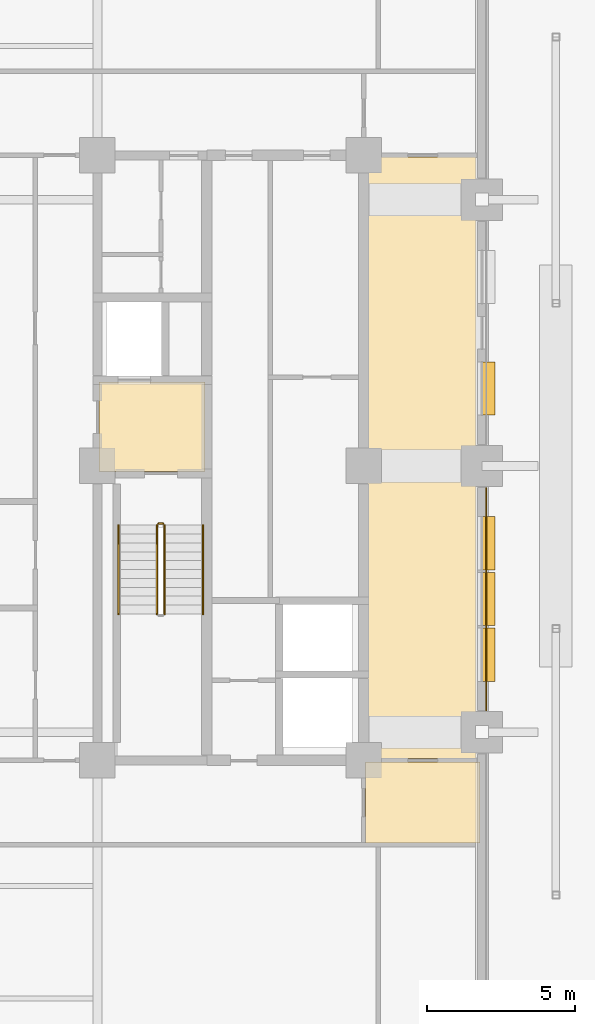
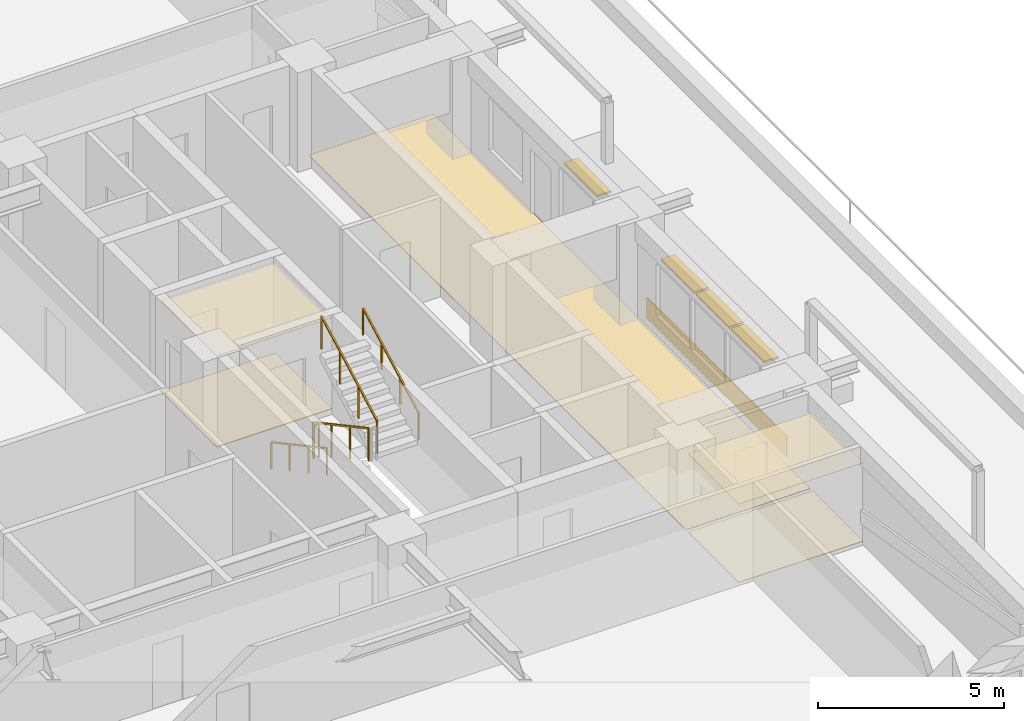
# One storey, part 17 of 18: 6 coverings, 5 railings, 4 shading devices.
"""IFC4 building model written with IfcOpenShell, lengths in metres."""

from ifc_helpers import new_model, si_unit, direction, frame, frame_2d, origin, origin_2d, place, context, subcontext, project, spatial, polyline, rectangle, outline, extrude, material, layer, layer_set, type_object, element, save


model = new_model("IFC4")

# Units and contexts
model_context = context("Model", 3, precision=1e-05, world=origin(), true_north=direction((0.0, 1.0)))
body_context = subcontext(model_context, "Body", "Model", "MODEL_VIEW")
ifc_project = project(units=[si_unit("LENGTHUNIT", "METRE"), si_unit("AREAUNIT", "SQUARE_METRE"), si_unit("VOLUMEUNIT", "CUBIC_METRE"), si_unit("PLANEANGLEUNIT", "RADIAN"), si_unit("MASSUNIT", "GRAM", prefix="KILO")], contexts=[model_context])

# Site, building, storey
site_placement = place(None, origin())
site = spatial("IfcSite", under=ifc_project, at=site_placement, CompositionType="ELEMENT")
building_placement = place(site_placement, origin())
building = spatial("IfcBuilding", under=site, at=building_placement, Name="Zulmaris Gate Convention Tower", CompositionType="ELEMENT")
storey_placement = place(building_placement, frame((0.0, 0.0, 57.18994140625)))
storey = spatial("IfcBuildingStorey", under=building, at=storey_placement, Name="L13", CompositionType="ELEMENT", Elevation=57.18994140625)

# Coverings
ifc_material_1 = material(Name="Precast concrete C40/50", Category="concrete")
ifc_layer_1 = layer(ifc_material_1, 0.0400390625, Name="Precast concrete C40/50")
ifc_layer_set_1 = layer_set([ifc_layer_1], Name="Precast concrete C40/50")
covering_type_1 = type_object("IfcCoveringType", Name="CLAD-SPANDREL-PRECAST", PredefinedType="CLADDING", material=ifc_layer_set_1)
covering_1_placement = place(storey_placement, frame((24.14990234375, -8.27001953125, 0.0), z_axis=(0.0, 0.0, 1.0), x_axis=(0.0, 1.0, 0.0)))
element("IfcCovering", 1, at=covering_1_placement, inside=storey, type_object=covering_type_1, Name="CLD-L13-E-1_0", PredefinedType="CLADDING", context=body_context, shape_type="SweptSolid", body=[
    extrude(rectangle(XDim=7.5400390625, YDim=0.0400390625, at=frame_2d((3.77001953125, 0.0))), origin(), (0.0, 0.0, 1.0), 0.679931640625),
])
ifc_material_2 = material(Name="Mineral Fibre Acoustic Ceiling Tile")
ifc_layer_2 = layer(ifc_material_2, 0.02001953125, Name="Mineral Fibre Acoustic Ceiling Tile")
ifc_layer_set_2 = layer_set([ifc_layer_2], Name="Mineral Fibre Acoustic Ceiling Tile")
covering_type_2 = type_object("IfcCoveringType", Name="CLG-ACOUSTIC-600", PredefinedType="CEILING", material=ifc_layer_set_2)
covering_2_placement = place(storey_placement, frame((0.0, 0.0, 2.989990234375)))
element("IfcCovering", 2, at=covering_2_placement, inside=storey, type_object=covering_type_2, Name="CLG-L13-R08", PredefinedType="CEILING", context=body_context, shape_type="SweptSolid", body=[
    extrude(outline(polyline([(11.06005859375, -0.18994140625), (14.639892578125, -0.18994140625), (14.639892578125, 2.840087890625), (11.06005859375, 2.840087890625), (11.06005859375, -0.18994140625)])), origin(), (0.0, 0.0, 1.0), 0.02001953125),
])
covering_3_placement = place(storey_placement, frame((0.0, 0.0, 2.578125)))
element("IfcCovering", 3, at=covering_3_placement, inside=storey, type_object=covering_type_2, Name="CLG-L13-R55", PredefinedType="CEILING", context=body_context, shape_type="SweptSolid", body=[
    extrude(outline(polyline([(20.06005859375, -12.739990234375), (23.93994140625, -12.739990234375), (23.93994140625, -10.010009765625), (20.06005859375, -10.010009765625), (20.06005859375, -12.739990234375)])), origin(), (0.0, 0.0, 1.0), 0.02001953125),
])
ifc_material_3 = material(Name="Woven Acoustic Wool Carpet Tile")
ifc_layer_3 = layer(ifc_material_3, 0.02001953125, Name="Woven Acoustic Wool Carpet Tile")
ifc_layer_set_3 = layer_set([ifc_layer_3], Name="Woven Acoustic Wool Carpet Tile")
covering_type_3 = type_object("IfcCoveringType", Name="FLR-CARPET-12", PredefinedType="FLOORING", material=ifc_layer_set_3)
covering_4_placement = place(storey_placement, origin())
element("IfcCovering", 4, at=covering_4_placement, inside=storey, type_object=covering_type_3, Name="FLR-L13-R08", PredefinedType="FLOORING", context=body_context, shape_type="SweptSolid", body=[
    extrude(outline(polyline([(11.06005859375, -0.18994140625), (14.639892578125, -0.18994140625), (14.639892578125, 2.840087890625), (11.06005859375, 2.840087890625), (11.06005859375, -0.18994140625)])), origin(), (0.0, 0.0, 1.0), 0.02001953125),
])
covering_5_placement = place(storey_placement, origin())
element("IfcCovering", 5, at=covering_5_placement, inside=storey, type_object=covering_type_3, Name="FLR-L13-R55", PredefinedType="FLOORING", context=body_context, shape_type="SweptSolid", body=[
    extrude(outline(polyline([(20.06005859375, -12.739990234375), (23.93994140625, -12.739990234375), (23.93994140625, -10.010009765625), (20.06005859375, -10.010009765625), (20.06005859375, -12.739990234375)])), origin(), (0.0, 0.0, 1.0), 0.02001953125),
])
covering_6_placement = place(storey_placement, origin())
element("IfcCovering", 6, at=covering_6_placement, inside=storey, type_object=covering_type_3, Name="FLR-L13-R56", PredefinedType="FLOORING", context=body_context, shape_type="SweptSolid", body=[
    extrude(outline(polyline([(20.06005859375, -9.889892578125), (23.93994140625, -9.889892578125), (23.93994140625, 10.43994140625), (20.06005859375, 10.43994140625), (20.06005859375, -9.889892578125)])), origin(), (0.0, 0.0, 1.0), 0.02001953125),
])

# Railings
ifc_material_4 = material(Name="Painted Galvanised Steel", Category="steel")
railing_type_1 = type_object("IfcRailingType", Name="RL-STG-1150", PredefinedType="GUARDRAIL", material=ifc_material_4)
railing_1_placement = place(storey_placement, frame((13.010009765625, -2.0, 0.162353515625)))
element("IfcRailing", 7, at=railing_1_placement, inside=storey, type_object=railing_type_1, Name="L13 ST-2 stair guard 1", PredefinedType="GUARDRAIL", context=body_context, shape_type="SweptSolid", body=[
    extrude(rectangle(XDim=0.048095703125, YDim=0.048095703125, at=origin_2d()), frame((0.0, 0.0, 1.076171875), z_axis=(0.0, -0.879591569277, 0.475729619907), x_axis=(1.0, 0.0, 0.0)), (0.0, 0.0, 1.0), 3.41064453125),
    extrude(rectangle(XDim=0.0419921875, YDim=0.0419921875, at=origin_2d()), origin(), (0.0, 0.0, 1.0), 1.052001953125),
    extrude(rectangle(XDim=0.0419921875, YDim=0.0419921875, at=origin_2d()), frame((0.0, -1.0, 0.540771484375)), (0.0, 0.0, 1.0), 1.052001953125),
    extrude(rectangle(XDim=0.0419921875, YDim=0.0419921875, at=origin_2d()), frame((0.0, -2.0, 1.081787109375)), (0.0, 0.0, 1.0), 1.052001953125),
    extrude(rectangle(XDim=0.0419921875, YDim=0.0419921875, at=origin_2d()), frame((0.0, -3.0, 1.62255859375)), (0.0, 0.0, 1.0), 1.052001953125),
])
railing_2_placement = place(storey_placement, frame((13.27001953125, -5.0, 1.947265625)))
element("IfcRailing", 8, at=railing_2_placement, inside=storey, type_object=railing_type_1, Name="L13 ST-2 stair guard 3", PredefinedType="GUARDRAIL", context=body_context, shape_type="SweptSolid", body=[
    extrude(rectangle(XDim=0.048095703125, YDim=0.048095703125, at=origin_2d()), frame((0.0, 0.0, 1.076171875), z_axis=(0.0, 0.8795616155, 0.475784998228), x_axis=(-1.0, 0.0, 0.0)), (0.0, 0.0, 1.0), 3.410888671875),
    extrude(rectangle(XDim=0.0419921875, YDim=0.0419921875, at=origin_2d()), origin(), (0.0, 0.0, 1.0), 1.052001953125),
    extrude(rectangle(XDim=0.0419921875, YDim=0.0419921875, at=origin_2d()), frame((0.0, 1.0, 0.541015625)), (0.0, 0.0, 1.0), 1.052001953125),
    extrude(rectangle(XDim=0.0419921875, YDim=0.0419921875, at=origin_2d()), frame((0.0, 2.0, 1.081787109375)), (0.0, 0.0, 1.0), 1.052001953125),
    extrude(rectangle(XDim=0.0419921875, YDim=0.0419921875, at=origin_2d()), frame((0.0, 3.0, 1.622802734375)), (0.0, 0.0, 1.0), 1.052001953125),
])
railing_3_placement = place(storey_placement, frame((13.06005859375, -1.949951171875, 0.0)))
element("IfcRailing", 9, at=railing_3_placement, inside=storey, type_object=railing_type_1, Name="L13 ST-2 stair guard 4", PredefinedType="GUARDRAIL", context=body_context, shape_type="SweptSolid", body=[
    extrude(rectangle(XDim=0.048095703125, YDim=0.048095703125, at=origin_2d()), frame((0.0, 0.0, 1.076171875), z_axis=(1.0, 0.0, 0.0), x_axis=(0.0, 1.0, 0.0)), (0.0, 0.0, 1.0), 0.159912109375),
    extrude(rectangle(XDim=0.0419921875, YDim=0.0419921875, at=origin_2d()), origin(), (0.0, 0.0, 1.0), 1.052001953125),
    extrude(rectangle(XDim=0.0419921875, YDim=0.0419921875, at=origin_2d()), frame((0.159912109375, 0.0, 0.0)), (0.0, 0.0, 1.0), 1.052001953125),
])
ifc_material_5 = material(Name="Brushed Stainless Steel", Category="steel")
railing_type_2 = type_object("IfcRailingType", Name="RL-STH-900", PredefinedType="HANDRAIL", material=ifc_material_5)
railing_4_placement = place(storey_placement, frame((11.7099609375, -2.0, 0.162353515625)))
element("IfcRailing", 10, at=railing_4_placement, inside=storey, type_object=railing_type_2, Name="L13 ST-2 stair handrail 1", PredefinedType="HANDRAIL", context=body_context, shape_type="SweptSolid", body=[
    extrude(rectangle(XDim=0.048095703125, YDim=0.048095703125, at=origin_2d()), frame((0.0, 0.0, 0.8759765625), z_axis=(0.0, -0.879591569277, 0.475729619907), x_axis=(1.0, 0.0, 0.0)), (0.0, 0.0, 1.0), 3.41064453125),
    extrude(rectangle(XDim=0.0419921875, YDim=0.0419921875, at=origin_2d()), origin(), (0.0, 0.0, 1.0), 0.851806640625),
    extrude(rectangle(XDim=0.0419921875, YDim=0.0419921875, at=origin_2d()), frame((0.0, -1.0, 0.540771484375)), (0.0, 0.0, 1.0), 0.851806640625),
    extrude(rectangle(XDim=0.0419921875, YDim=0.0419921875, at=origin_2d()), frame((0.0, -2.0, 1.081787109375)), (0.0, 0.0, 1.0), 0.851806640625),
    extrude(rectangle(XDim=0.0419921875, YDim=0.0419921875, at=origin_2d()), frame((0.0, -3.0, 1.62255859375)), (0.0, 0.0, 1.0), 0.851806640625),
])
railing_5_placement = place(storey_placement, frame((14.570068359375, -5.0, 1.947265625)))
element("IfcRailing", 11, at=railing_5_placement, inside=storey, type_object=railing_type_2, Name="L13 ST-2 stair handrail 2", PredefinedType="HANDRAIL", context=body_context, shape_type="SweptSolid", body=[
    extrude(rectangle(XDim=0.048095703125, YDim=0.048095703125, at=origin_2d()), frame((0.0, 0.0, 0.8759765625), z_axis=(0.0, 0.8795616155, 0.475784998228), x_axis=(-1.0, 0.0, 0.0)), (0.0, 0.0, 1.0), 3.410888671875),
    extrude(rectangle(XDim=0.0419921875, YDim=0.0419921875, at=origin_2d()), origin(), (0.0, 0.0, 1.0), 0.851806640625),
    extrude(rectangle(XDim=0.0419921875, YDim=0.0419921875, at=origin_2d()), frame((0.0, 1.0, 0.541015625)), (0.0, 0.0, 1.0), 0.851806640625),
    extrude(rectangle(XDim=0.0419921875, YDim=0.0419921875, at=origin_2d()), frame((0.0, 2.0, 1.081787109375)), (0.0, 0.0, 1.0), 0.851806640625),
    extrude(rectangle(XDim=0.0419921875, YDim=0.0419921875, at=origin_2d()), frame((0.0, 3.0, 1.622802734375)), (0.0, 0.0, 1.0), 0.851806640625),
])

# Shading devices
ifc_material_6 = material(Name="Glazed Ceramic Terracotta", Category="masonry")
ifc_layer_4 = layer(ifc_material_6, 0.070068359375, Name="Glazed Ceramic Terracotta")
ifc_layer_set_4 = layer_set([ifc_layer_4], Name="Glazed Ceramic Terracotta")
shading_device_type = type_object("IfcShadingDeviceType", Name="SHD-SUNSHADE-TC", PredefinedType="AWNING", material=ifc_layer_set_4)
for number, where, z_axis, x_axis, name in (
    (12, (24.219970703125, -7.284912109375, 2.530029296875), (0.0, 0.0, 1.0), (0.0, 1.0, 0.0), "SHD-EW-L13-E-1_0-1"),
    (13, (24.219970703125, -5.39990234375, 2.530029296875), (0.0, 0.0, 1.0), (0.0, 1.0, 0.0), "SHD-EW-L13-E-1_0-2"),
    (14, (24.219970703125, -3.514892578125, 2.530029296875), (0.0, 0.0, 1.0), (0.0, 1.0, 0.0), "SHD-EW-L13-E-1_0-3"),
    (15, (24.219970703125, 1.715087890625, 2.530029296875), (0.0, 0.0, 1.0), (0.0, 1.0, 0.0), "SHD-EW-L13-E-2_0-1"),
):
    element("IfcShadingDevice", number, at=place(storey_placement, frame(where, z_axis=z_axis, x_axis=x_axis)), inside=storey, type_object=shading_device_type, Name=name, PredefinedType="AWNING", context=body_context, shape_type="SweptSolid", body=[
        extrude(rectangle(XDim=1.7998046875, YDim=0.43994140625, at=frame_2d((0.89990234375, 0.0))), origin(), (0.0, 0.0, 1.0), 0.06982421875),
    ])

save(model, "model.ifc")
